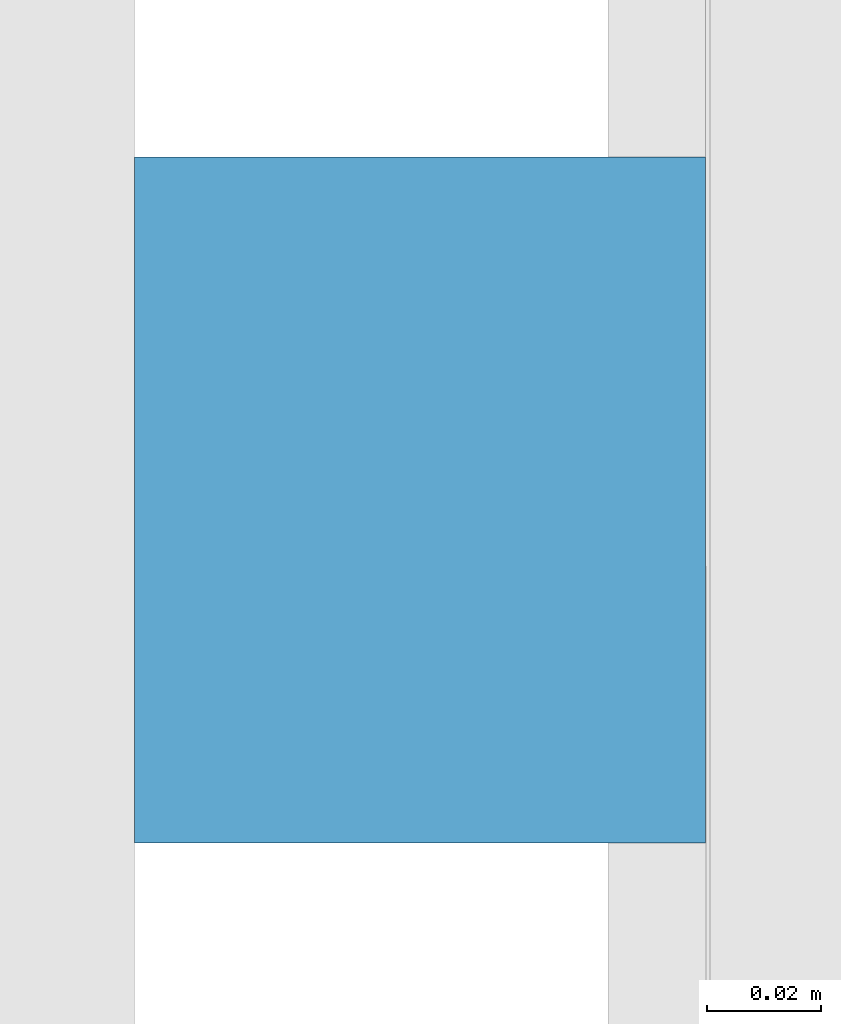
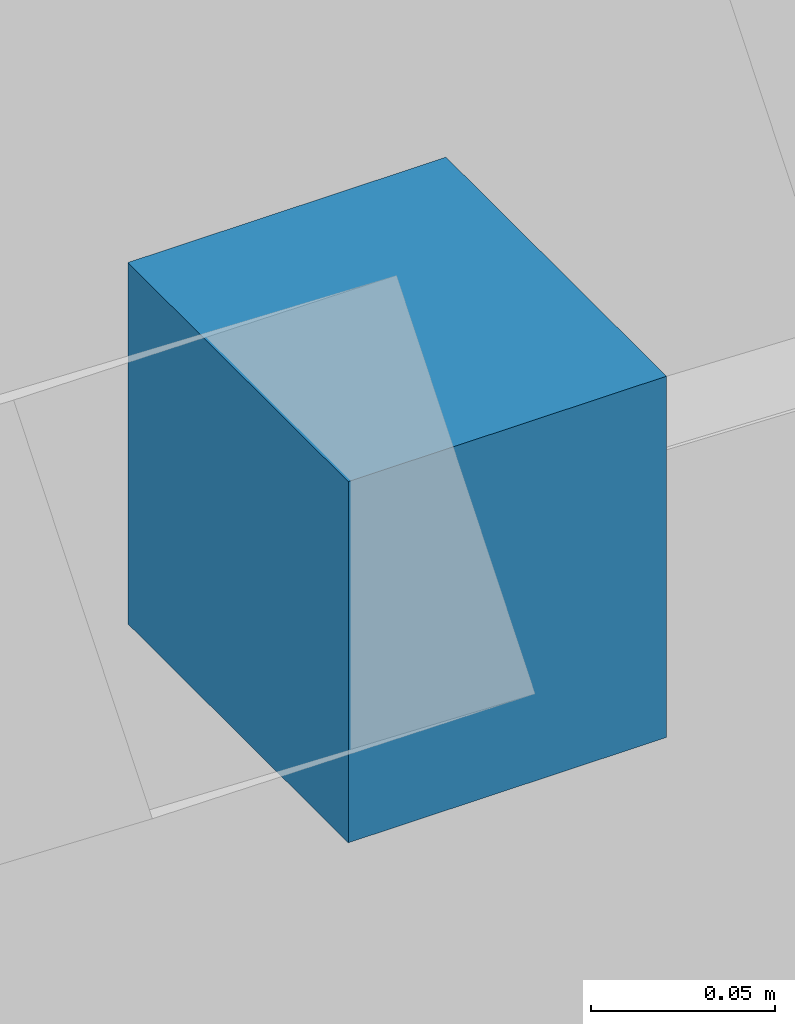
# One storey, part 24 of 27: 1 discrete accessory.
"""IFC4 building model written with IfcOpenShell, lengths in metres."""

from ifc_helpers import new_model, si_unit, direction, frame, origin, origin_2d, place, context, subcontext, project, spatial, rectangle, extrude, material, type_object, element, save


model = new_model("IFC4")

# Units and contexts
model_context = context("Model", 3, precision=1e-05, world=origin(), true_north=direction((0.0, 1.0)))
body_context = subcontext(model_context, "Body", "Model", "MODEL_VIEW")
ifc_project = project(units=[si_unit("LENGTHUNIT", "METRE"), si_unit("AREAUNIT", "SQUARE_METRE"), si_unit("VOLUMEUNIT", "CUBIC_METRE"), si_unit("PLANEANGLEUNIT", "RADIAN"), si_unit("MASSUNIT", "GRAM", prefix="KILO")], contexts=[model_context])

# Site, building, storey
site_placement = place(None, origin())
site = spatial("IfcSite", under=ifc_project, at=site_placement, CompositionType="ELEMENT")
building_placement = place(site_placement, origin())
building = spatial("IfcBuilding", under=site, at=building_placement, Name="Crosswind Convention Tower", CompositionType="ELEMENT")
storey_placement = place(building_placement, frame((0.0, 0.0, 90.5)))
storey = spatial("IfcBuildingStorey", under=building, at=storey_placement, Name="L17", CompositionType="ELEMENT", Elevation=90.5)

# Discrete accessory
ifc_material = material(Name="Stainless steel", Category="steel")
discrete_accessory_type = type_object("IfcDiscreteAccessoryType", Name="BAGUETTE BRACKET BK2", PredefinedType="BRACKET", material=ifc_material)
discrete_accessory_placement = place(storey_placement, frame((88.092041015625, 110.333740234375, 1.4775390625), z_axis=(0.0, 0.0, 1.0), x_axis=(0.0, -1.0, 0.0)))
element("IfcDiscreteAccessory", 1, at=discrete_accessory_placement, inside=storey, type_object=discrete_accessory_type, Name="BK2 baguette bracket", PredefinedType="BRACKET", context=body_context, shape_type="SweptSolid", body=[
    extrude(rectangle(XDim=0.1201171875, YDim=0.10009765625, at=origin_2d()), origin(), (0.0, 0.0, 1.0), 0.1201171875),
])

save(model, "model.ifc")
